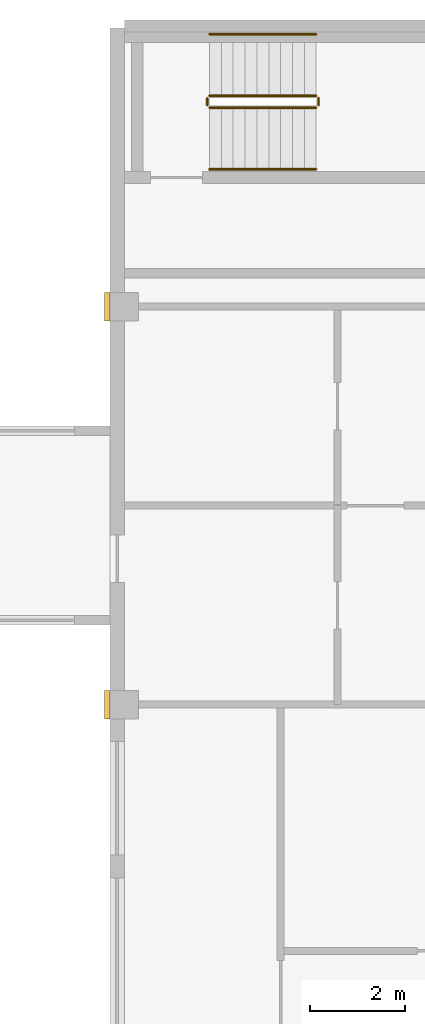
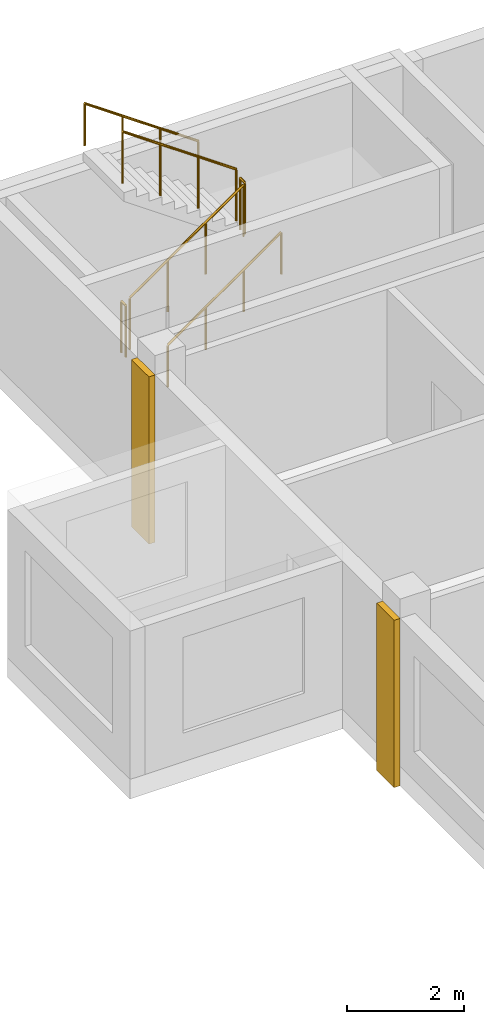
# One storey, part 9 of 9: 6 railings, 2 coverings.
"""IFC4 building model written with IfcOpenShell, lengths in metres."""

import ifcopenshell
import ifcopenshell.guid

model = None  # the IFC model being written
_history = None  # IfcOwnerHistory: only IFC2X3 demands one
_inside = {}  # id of a spatial element -> (the spatial element, [elements in it])
_under = {}  # id of a project, library or spatial element -> (it, [spatial elements below it])
_declared = {}  # id of a project -> (the project, [libraries it declares])
_typed = {}  # id of a type object -> (the type object, [elements of that type])
_made_of = {}  # id of a material, layer set ... -> (it, [elements and type objects made of it])


def new_model(schema):
    """Start an empty IFC model of exactly this schema.

    Asked for "IFC4X3", IfcOpenShell would pick the latest addendum, in which some entities
    have other attributes; the version numbers below select the first issue.
    IFC2X3 requires an IfcOwnerHistory on every rooted entity: one is made here for all.
    """
    global model, _history
    if schema == "IFC4X3":
        model = ifcopenshell.file(schema_version=(4, 3, 0, 0))
    else:
        model = ifcopenshell.file(schema=schema)
    _inside.clear()
    _under.clear()
    _declared.clear()
    _typed.clear()
    _made_of.clear()
    _history = None
    if model.schema == "IFC2X3":
        org = make("IfcOrganization", Name="unknown")
        user = make(
            "IfcPersonAndOrganization",
            ThePerson=make("IfcPerson", FamilyName="unknown"),
            TheOrganization=org,
        )
        app = make(
            "IfcApplication",
            ApplicationDeveloper=org,
            Version="unknown",
            ApplicationFullName="unknown",
            ApplicationIdentifier="unknown",
        )
        _history = make(
            "IfcOwnerHistory",
            OwningUser=user,
            OwningApplication=app,
            ChangeAction="ADDED",
            CreationDate=0,
        )
    return model


def make(cls, **values):
    """One entity of the class cls with the attributes given. An attribute that is None is left unset."""
    return model.create_entity(
        cls, **{name: value for name, value in values.items() if value is not None}
    )


def rooted(cls, **values):
    """An entity with a GlobalId (a new one), such as an element, a storey or a relation."""
    return make(cls, GlobalId=ifcopenshell.guid.new(), OwnerHistory=_history, **values)


def si_unit(unit_type, name, prefix=None):
    """IfcSIUnit, for example si_unit("LENGTHUNIT", "METRE", prefix="MILLI")."""
    return make("IfcSIUnit", UnitType=unit_type, Prefix=prefix, Name=name)


def assignment(units):
    """IfcUnitAssignment: the units of a project."""
    return None if units is None else make("IfcUnitAssignment", Units=units)


def point(xyz):
    """IfcCartesianPoint."""
    return None if xyz is None else make("IfcCartesianPoint", Coordinates=xyz)


def direction(xyz):
    """IfcDirection."""
    return None if xyz is None else make("IfcDirection", DirectionRatios=xyz)


def frame(location, z_axis=None, x_axis=None):
    """IfcAxis2Placement3D, a coordinate frame: its origin and axes. An axis left out is left unset."""
    return make(
        "IfcAxis2Placement3D",
        Location=point(location),
        Axis=direction(z_axis),
        RefDirection=direction(x_axis),
    )


def frame_2d(location, x_axis=None):
    """IfcAxis2Placement2D, a coordinate frame in the plane: its origin and x axis."""
    return make(
        "IfcAxis2Placement2D", Location=point(location), RefDirection=direction(x_axis)
    )


def origin():
    """The frame at (0, 0, 0) with its axes left unset."""
    return frame((0.0, 0.0, 0.0))


def origin_2d():
    """The frame at (0, 0) in the plane with its x axis left unset."""
    return frame_2d((0.0, 0.0))


def place(relative_to, where):
    """IfcLocalPlacement: puts the frame where relative to a parent placement (None: the world)."""
    return make(
        "IfcLocalPlacement", PlacementRelTo=relative_to, RelativePlacement=where
    )


def context(
    kind, dimensions, precision=None, world=None, true_north=None, identifier=None
):
    """IfcGeometricRepresentationContext, for example the 3D "Model" context."""
    return make(
        "IfcGeometricRepresentationContext",
        ContextIdentifier=identifier,
        ContextType=kind,
        CoordinateSpaceDimension=dimensions,
        Precision=precision,
        WorldCoordinateSystem=world,
        TrueNorth=true_north,
    )


def subcontext(parent, identifier, kind, view, scale=None):
    """IfcGeometricRepresentationSubContext, for example "Body" below "Model"."""
    return make(
        "IfcGeometricRepresentationSubContext",
        ContextIdentifier=identifier,
        ContextType=kind,
        ParentContext=parent,
        TargetScale=scale,
        TargetView=view,
    )


def project(units=None, contexts=None):
    """IfcProject with its units and contexts."""
    return rooted(
        "IfcProject",
        Name="project",
        RepresentationContexts=contexts,
        UnitsInContext=assignment(units),
    )


def spatial(cls, under=None, at=None, **own):
    """A site, building, storey or space (cls), placed at a placement, below another one or the project."""
    s = rooted(cls, ObjectPlacement=at, **own)
    if under is not None:
        _under.setdefault(under.id(), (under, []))[1].append(s)
    return s


def profile(cls, at=None, kind="AREA", **sizes):
    """A parametric profile (cls). Its sizes go by their IFC names, for example OverallWidth=200.0."""
    return make(cls, ProfileType=kind, Position=at, **sizes)


def rectangle(**sizes):
    """IfcRectangleProfileDef."""
    return profile("IfcRectangleProfileDef", **sizes)


def circle(**sizes):
    """IfcCircleProfileDef."""
    return profile("IfcCircleProfileDef", **sizes)


def extrude(swept, where, along, depth):
    """IfcExtrudedAreaSolid: the profile swept, set in the frame where, extruded along a direction by depth."""
    return make(
        "IfcExtrudedAreaSolid",
        SweptArea=swept,
        Position=where,
        ExtrudedDirection=direction(along),
        Depth=depth,
    )


def shape(context_of_items, identifier, shape_type, items):
    """IfcShapeRepresentation: the items that make up one representation, for example the "Body"."""
    return make(
        "IfcShapeRepresentation",
        ContextOfItems=context_of_items,
        RepresentationIdentifier=identifier,
        RepresentationType=shape_type,
        Items=items,
    )


def source(mapping_origin, context_of_items, identifier, shape_type, items):
    """IfcRepresentationMap: a shape defined once, which mapped items show again and again."""
    return make(
        "IfcRepresentationMap",
        MappingOrigin=mapping_origin,
        MappedRepresentation=shape(context_of_items, identifier, shape_type, items),
    )


def transform(
    local_origin,
    x_axis=None,
    y_axis=None,
    z_axis=None,
    scale=None,
    scale2=None,
    scale3=None,
    uniform=True,
):
    """IfcCartesianTransformationOperator3D, or its non-uniform kind. x_axis, y_axis, z_axis: its Axis1, 2, 3."""
    if uniform:
        return make(
            "IfcCartesianTransformationOperator3D",
            Axis1=direction(x_axis),
            Axis2=direction(y_axis),
            LocalOrigin=point(local_origin),
            Scale=scale,
            Axis3=direction(z_axis),
        )
    return make(
        "IfcCartesianTransformationOperator3DnonUniform",
        Axis1=direction(x_axis),
        Axis2=direction(y_axis),
        LocalOrigin=point(local_origin),
        Scale=scale,
        Axis3=direction(z_axis),
        Scale2=scale2,
        Scale3=scale3,
    )


def mapped(mapping_source, mapping_target):
    """IfcMappedItem: shows the shape of a source again, moved by a transform."""
    return make(
        "IfcMappedItem", MappingSource=mapping_source, MappingTarget=mapping_target
    )


def material(Name=None, Category=None):
    """IfcMaterial."""
    return make("IfcMaterial", Name=Name, Category=Category)


def made_of(thing, what):
    """Note that an element or type object is made of a material, layer set ...; save() writes the relation."""
    if what is not None:
        _made_of.setdefault(what.id(), (what, []))[1].append(thing)
    return thing


def type_object(cls, material=None, **own):
    """A type object (cls), such as IfcWallType, which elements share."""
    return made_of(rooted(cls, **own), material)


def element(
    cls,
    number,
    at=None,
    inside=None,
    cuts=None,
    type_object=None,
    material=None,
    context=None,
    identifier="Body",
    shape_type=None,
    held_by="IfcProductDefinitionShape",
    body=None,
    shapes=None,
    **own,
):
    """One element of the class cls, such as IfcWall. Its Tag is "e" and its number.

    at: its placement. inside: the storey or other place that contains it. cuts: it is an
    opening in that element (IfcRelVoidsElement). A single representation is given by context,
    identifier, shape_type and body (its items); several are given by shapes. held_by: the class
    of the entity that holds the representations. save() writes the other relations.
    """
    e = rooted(cls, Tag="e%d" % number, ObjectPlacement=at, **own)
    if body is not None:
        shapes = [shape(context, identifier, shape_type, body)]
    if shapes is not None:
        e.Representation = make(held_by, Representations=shapes)
    if inside is not None:
        _inside.setdefault(inside.id(), (inside, []))[1].append(e)
    if cuts is not None:
        rooted(
            "IfcRelVoidsElement", RelatingBuildingElement=cuts, RelatedOpeningElement=e
        )
    if type_object is not None:
        _typed.setdefault(type_object.id(), (type_object, []))[1].append(e)
    return made_of(e, material)


def aggregate(whole, parts):
    """IfcRelAggregates: a whole, such as a stair, and the parts it consists of."""
    return rooted("IfcRelAggregates", RelatingObject=whole, RelatedObjects=parts)


def save(model, path):
    """Write the relations noted so far, then the file.

    IfcRelAggregates (storeys below a building ...), IfcRelContainedInSpatialStructure (elements
    in a storey), IfcRelDefinesByType, IfcRelAssociatesMaterial and IfcRelDeclares: one each for
    every whole, place, type object, material and project.
    """
    for whole, parts in _under.values():
        aggregate(whole, parts)
    for where, things in _inside.values():
        rooted(
            "IfcRelContainedInSpatialStructure",
            RelatedElements=things,
            RelatingStructure=where,
        )
    for kind, things in _typed.values():
        rooted("IfcRelDefinesByType", RelatedObjects=things, RelatingType=kind)
    for what, things in _made_of.values():
        rooted("IfcRelAssociatesMaterial", RelatedObjects=things, RelatingMaterial=what)
    for by, libraries in _declared.values():
        rooted("IfcRelDeclares", RelatingContext=by, RelatedDefinitions=libraries)
    model.write(path)


model = new_model("IFC4")

# Units and contexts
model_context = context("Model", 3, precision=1e-05, world=origin(), true_north=direction((0.0, 1.0)))
body_context = subcontext(model_context, "Body", "Model", "MODEL_VIEW")
ifc_project = project(units=[si_unit("LENGTHUNIT", "METRE"), si_unit("AREAUNIT", "SQUARE_METRE"), si_unit("VOLUMEUNIT", "CUBIC_METRE"), si_unit("PLANEANGLEUNIT", "RADIAN"), si_unit("MASSUNIT", "GRAM", prefix="KILO")], contexts=[model_context])

# Site, building, storey
site_placement = place(None, origin())
site = spatial("IfcSite", under=ifc_project, at=site_placement, CompositionType="ELEMENT")
building_placement = place(site_placement, origin())
building = spatial("IfcBuilding", under=site, at=building_placement, Name="Aurelian Terraces", CompositionType="ELEMENT")
storey_placement = place(building_placement, frame((0.0, 0.0, 333.5)))
storey = spatial("IfcBuildingStorey", under=building, at=storey_placement, Name="L78", CompositionType="ELEMENT", Elevation=333.5)

# Coverings
ifc_material_1 = material(Name="Terracotta rainscreen cladding relief", Category="masonry")
covering_type = type_object("IfcCoveringType", Name="BAGUETTE-TC", PredefinedType="CLADDING", material=ifc_material_1)
shared_shape_1 = source(origin(), body_context, "Body", "SweptSolid", [
    extrude(rectangle(XDim=0.12, YDim=0.6, at=origin_2d()), origin(), (0.0, 0.0, 1.0), 3.5),
])
for number, where, z_axis, x_axis, name in (
    (1, (10.44, 29.4, -0.4), (0.0, 0.0, 1.0), (1.0, 0.0, 0.0), "BAGUETTE pier L78 4"),
    (2, (10.44, 37.8, -0.4), (0.0, 0.0, 1.0), (1.0, 0.0, 0.0), "BAGUETTE pier L78 5"),
):
    element("IfcCovering", number, at=place(storey_placement, frame(where, z_axis=z_axis, x_axis=x_axis)), inside=storey, type_object=covering_type, Name=name, PredefinedType="CLADDING", context=body_context, shape_type="MappedRepresentation", body=[
        mapped(shared_shape_1, transform((0.0, 0.0, 0.0), scale=1.0)),
    ])

# Railings
ifc_material_2 = material(Name="Stainless steel", Category="steel")
railing_type_1 = type_object("IfcRailingType", Name="Stair guard 1100", PredefinedType="GUARDRAIL", material=ifc_material_2)
shared_shape_2 = source(origin(), body_context, "Body", "SweptSolid", [
    extrude(circle(Radius=0.024, at=origin_2d()), frame((0.0, 0.0, 1.076), z_axis=(0.0, 1.0, 0.0), x_axis=(-1.0, 0.0, 0.0)), (0.0, 0.0, 1.0), 0.15),
    extrude(circle(Radius=0.021, at=origin_2d()), origin(), (0.0, 0.0, 1.0), 1.052),
    extrude(circle(Radius=0.021, at=origin_2d()), frame((0.0, 0.15, 0.0)), (0.0, 0.0, 1.0), 1.052),
])
for number, where, name in (
    (3, (14.9, 42.05, 1.75), "L78 S3U stair guard 2"),
    (4, (12.55, 42.05, 0.0), "L78 S3U stair guard 4"),
):
    element("IfcRailing", number, at=place(storey_placement, frame(where)), inside=storey, type_object=railing_type_1, Name=name, PredefinedType="GUARDRAIL", context=body_context, shape_type="MappedRepresentation", body=[
        mapped(shared_shape_2, transform((0.0, 0.0, 0.0), scale=1.0)),
    ])
shared_shape_3 = source(origin(), body_context, "Body", "SweptSolid", [
    extrude(circle(Radius=0.024, at=origin_2d()), frame((0.0, 0.0, 1.076), z_axis=(0.819231920519, 0.0, 0.573462344363), x_axis=(0.0, 1.0, 0.0)), (0.0, 0.0, 1.0), 2.7465),
    extrude(circle(Radius=0.021, at=origin_2d()), origin(), (0.0, 0.0, 1.0), 1.052),
    extrude(circle(Radius=0.021, at=origin_2d()), frame((0.75, 0.0, 0.525)), (0.0, 0.0, 1.0), 1.052),
    extrude(circle(Radius=0.021, at=origin_2d()), frame((1.5, 0.0, 1.05)), (0.0, 0.0, 1.0), 1.052),
    extrude(circle(Radius=0.021, at=origin_2d()), frame((2.25, 0.0, 1.575)), (0.0, 0.0, 1.0), 1.052),
])
railing_1_placement = place(storey_placement, frame((12.6, 42.0, 0.175)))
element("IfcRailing", 5, at=railing_1_placement, inside=storey, type_object=railing_type_1, Name="L78 S3U stair guard 1", PredefinedType="GUARDRAIL", context=body_context, shape_type="MappedRepresentation", body=[
    mapped(shared_shape_3, transform((0.0, 0.0, 0.0), scale=1.0)),
])
shared_shape_4 = source(origin(), body_context, "Body", "SweptSolid", [
    extrude(circle(Radius=0.024, at=origin_2d()), frame((0.0, 0.0, 1.076), z_axis=(-0.819231920519, 0.0, 0.573462344363), x_axis=(0.0, -1.0, 0.0)), (0.0, 0.0, 1.0), 2.7465),
    extrude(circle(Radius=0.021, at=origin_2d()), origin(), (0.0, 0.0, 1.0), 1.052),
    extrude(circle(Radius=0.021, at=origin_2d()), frame((-0.75, 0.0, 0.525)), (0.0, 0.0, 1.0), 1.052),
    extrude(circle(Radius=0.021, at=origin_2d()), frame((-1.5, 0.0, 1.05)), (0.0, 0.0, 1.0), 1.052),
    extrude(circle(Radius=0.021, at=origin_2d()), frame((-2.25, 0.0, 1.575)), (0.0, 0.0, 1.0), 1.052),
])
railing_2_placement = place(storey_placement, frame((14.85, 42.25, 1.925)))
element("IfcRailing", 6, at=railing_2_placement, inside=storey, type_object=railing_type_1, Name="L78 S3U stair guard 3", PredefinedType="GUARDRAIL", context=body_context, shape_type="MappedRepresentation", body=[
    mapped(shared_shape_4, transform((0.0, 0.0, 0.0), scale=1.0)),
])
railing_type_2 = type_object("IfcRailingType", Name="Stair handrail", PredefinedType="HANDRAIL", material=ifc_material_2)
shared_shape_5 = source(origin(), body_context, "Body", "SweptSolid", [
    extrude(circle(Radius=0.024, at=origin_2d()), frame((0.0, 0.0, 0.876), z_axis=(0.819231920519, 0.0, 0.573462344363), x_axis=(0.0, 1.0, 0.0)), (0.0, 0.0, 1.0), 2.7465),
    extrude(circle(Radius=0.021, at=origin_2d()), origin(), (0.0, 0.0, 1.0), 0.852),
    extrude(circle(Radius=0.021, at=origin_2d()), frame((0.75, 0.0, 0.525)), (0.0, 0.0, 1.0), 0.852),
    extrude(circle(Radius=0.021, at=origin_2d()), frame((1.5, 0.0, 1.05)), (0.0, 0.0, 1.0), 0.852),
    extrude(circle(Radius=0.021, at=origin_2d()), frame((2.25, 0.0, 1.575)), (0.0, 0.0, 1.0), 0.852),
])
railing_3_placement = place(storey_placement, frame((12.6, 40.7, 0.175)))
element("IfcRailing", 7, at=railing_3_placement, inside=storey, type_object=railing_type_2, Name="L78 S3U stair handrail 1", PredefinedType="HANDRAIL", context=body_context, shape_type="MappedRepresentation", body=[
    mapped(shared_shape_5, transform((0.0, 0.0, 0.0), scale=1.0)),
])
shared_shape_6 = source(origin(), body_context, "Body", "SweptSolid", [
    extrude(circle(Radius=0.024, at=origin_2d()), frame((0.0, 0.0, 0.876), z_axis=(-0.819231920519, 0.0, 0.573462344363), x_axis=(0.0, -1.0, 0.0)), (0.0, 0.0, 1.0), 2.7465),
    extrude(circle(Radius=0.021, at=origin_2d()), origin(), (0.0, 0.0, 1.0), 0.852),
    extrude(circle(Radius=0.021, at=origin_2d()), frame((-0.75, 0.0, 0.525)), (0.0, 0.0, 1.0), 0.852),
    extrude(circle(Radius=0.021, at=origin_2d()), frame((-1.5, 0.0, 1.05)), (0.0, 0.0, 1.0), 0.852),
    extrude(circle(Radius=0.021, at=origin_2d()), frame((-2.25, 0.0, 1.575)), (0.0, 0.0, 1.0), 0.852),
])
railing_4_placement = place(storey_placement, frame((14.85, 43.55, 1.925)))
element("IfcRailing", 8, at=railing_4_placement, inside=storey, type_object=railing_type_2, Name="L78 S3U stair handrail 2", PredefinedType="HANDRAIL", context=body_context, shape_type="MappedRepresentation", body=[
    mapped(shared_shape_6, transform((0.0, 0.0, 0.0), scale=1.0)),
])

save(model, "model.ifc")
